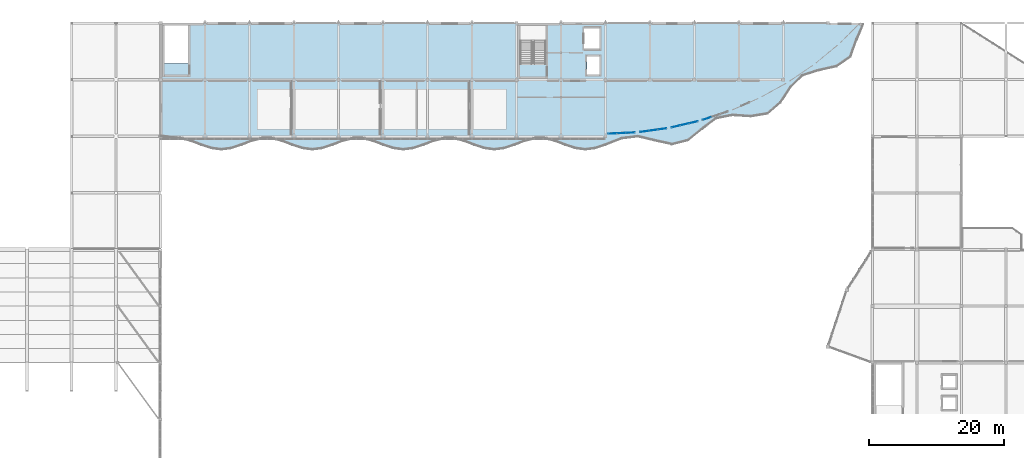
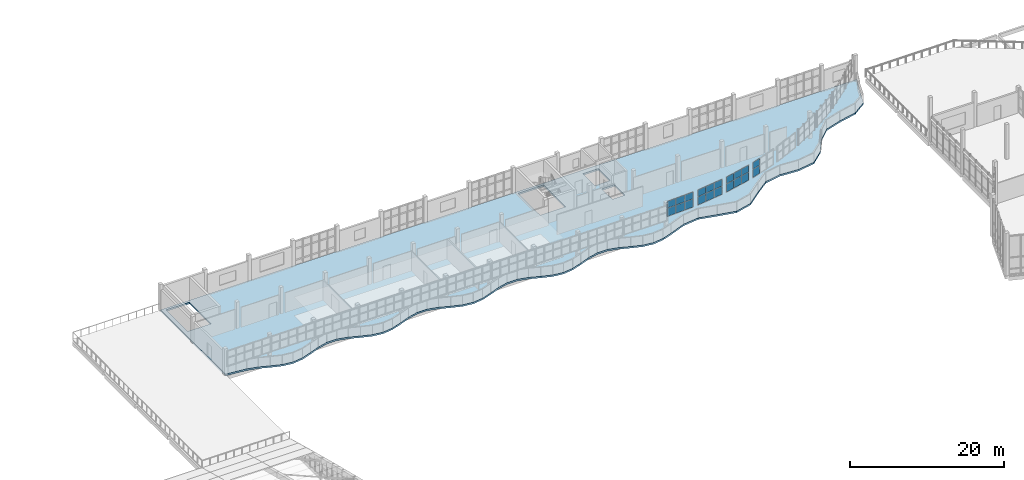
# One storey, part 48 of 78: 20 plates, 1 slab, 4 elements without a shape of their own.
"""IFC4 building model written with IfcOpenShell, lengths in metres."""

from ifc_helpers import new_model, si_unit, direction, frame, origin, origin_2d, place, context, subcontext, project, spatial, polyline, rectangle, outline, extrude, material, layer, layer_set, type_object, element, aggregate, save


model = new_model("IFC4")

# Units and contexts
model_context = context("Model", 3, precision=1e-05, world=origin(), true_north=direction((0.0, 1.0)))
body_context = subcontext(model_context, "Body", "Model", "MODEL_VIEW")
ifc_project = project(units=[si_unit("LENGTHUNIT", "METRE"), si_unit("AREAUNIT", "SQUARE_METRE"), si_unit("VOLUMEUNIT", "CUBIC_METRE"), si_unit("PLANEANGLEUNIT", "RADIAN"), si_unit("MASSUNIT", "GRAM", prefix="KILO")], contexts=[model_context])

# Site, building, storey
site_placement = place(None, origin())
site = spatial("IfcSite", under=ifc_project, at=site_placement, CompositionType="ELEMENT")
building_placement = place(site_placement, origin())
building = spatial("IfcBuilding", under=site, at=building_placement, Name="Qaldarim Faculty of Natural and Applied Sciences", CompositionType="ELEMENT")
storey_placement = place(building_placement, frame((0.0, 0.0, 18.60009765625)))
storey = spatial("IfcBuildingStorey", under=building, at=storey_placement, Name="L04", CompositionType="ELEMENT", Elevation=18.60009765625)

# Slab
ifc_material_1 = material(Name="Concrete C40/50", Category="concrete")
ifc_layer_1 = layer(ifc_material_1, 0.260009765625)
ifc_layer_set_1 = layer_set([ifc_layer_1], Name="Concrete C40/50")
slab_type = type_object("IfcSlabType", Name="LaboratoryFloorSlab-260", PredefinedType="FLOOR", material=ifc_layer_set_1)
slab_placement = place(storey_placement, frame((0.0, 0.0, -0.260009765625)))
element("IfcSlab", 1, at=slab_placement, inside=storey, type_object=slab_type, Name="Floor slab L04 V4", PredefinedType="FLOOR", context=body_context, shape_type="SweptSolid", body=[
    extrude(outline(polyline([(46.199951171875, 100.800048828125), (49.199951171875, 100.449951171875), (50.699951171875, 100.080078125), (52.199951171875, 99.5048828125), (53.699951171875, 99.0), (55.199951171875, 98.800048828125), (56.699951171875, 98.9951171875), (58.199951171875, 99.5), (59.699951171875, 100.070068359375), (61.199951171875, 100.445068359375), (62.699951171875, 100.449951171875), (64.199951171875, 100.080078125), (65.699951171875, 99.5048828125), (67.199951171875, 99.0), (68.699951171875, 98.800048828125), (70.199951171875, 98.9951171875), (71.699951171875, 99.5), (73.199951171875, 100.070068359375), (74.699951171875, 100.445068359375), (76.199951171875, 100.449951171875), (77.699951171875, 100.080078125), (79.199951171875, 99.5048828125), (80.699951171875, 99.0), (82.199951171875, 98.800048828125), (83.699951171875, 98.9951171875), (85.199951171875, 99.5), (86.699951171875, 100.070068359375), (88.199951171875, 100.445068359375), (89.699951171875, 100.449951171875), (91.199951171875, 100.080078125), (92.699951171875, 99.5048828125), (94.199951171875, 99.0), (95.699951171875, 98.800048828125), (97.199951171875, 98.9951171875), (98.699951171875, 99.5), (100.199951171875, 100.070068359375), (101.699951171875, 100.445068359375), (103.199951171875, 100.449951171875), (104.699951171875, 100.080078125), (106.199951171875, 99.5048828125), (107.699951171875, 99.0), (109.199951171875, 98.800048828125), (110.699951171875, 98.9951171875), (112.199951171875, 99.5), (114.610107421875, 100.445068359375), (117.0, 100.7451171875), (119.5048828125, 100.139892578125), (122.094970703125, 99.574951171875), (124.5048828125, 100.18505859375), (126.60498046875, 101.889892578125), (128.64990234375, 103.43505859375), (131.034912109375, 103.89990234375), (133.7451171875, 103.715087890625), (136.284912109375, 104.135009765625), (138.2099609375, 105.804931640625), (139.705078125, 108.0849609375), (141.4599609375, 109.800048828125), (143.8701171875, 110.56005859375), (146.530029296875, 111.14990234375), (148.580078125, 112.580078125), (149.4951171875, 115.195068359375), (150.47509765625, 117.60009765625), (46.199951171875, 117.60009765625), (46.199951171875, 100.800048828125)]), holes=[polyline([(103.35009765625, 111.514892578125), (103.35009765625, 117.219970703125), (99.550048828125, 117.219970703125), (99.550048828125, 111.514892578125), (103.35009765625, 111.514892578125)]), polyline([(50.300048828125, 111.614990234375), (50.300048828125, 117.219970703125), (46.800048828125, 117.219970703125), (46.800048828125, 111.614990234375), (50.300048828125, 111.614990234375)]), polyline([(109.449951171875, 109.949951171875), (111.35009765625, 109.949951171875), (111.35009765625, 112.64990234375), (109.449951171875, 112.64990234375), (109.449951171875, 109.949951171875)]), polyline([(109.050048828125, 113.75), (111.35009765625, 113.75), (111.35009765625, 116.85009765625), (109.050048828125, 116.85009765625), (109.050048828125, 113.75)])]), origin(), (0.0, 0.0, 1.0), 0.260009765625),
])

# Curtain wall, plates
ifc_material_2 = material(Name="Anodised aluminium AW-6063", Category="aluminium")
curtain_wall_type = type_object("IfcCurtainWallType", Name="CurtainWallSystem-M1400", PredefinedType="USERDEFINED", material=ifc_material_2)
curtain_wall_1_placement = place(storey_placement, origin())
curtain_wall_1 = element("IfcCurtainWall", 2, at=curtain_wall_1_placement, inside=storey, type_object=curtain_wall_type, Name="Curtain wall CW-V4ARC-L04-00", ObjectType="STICK CURTAIN WALL", PredefinedType="USERDEFINED")
ifc_material_3 = material(Name="Insulated low-e double glazing", Category="glass")
ifc_layer_2 = layer(ifc_material_3, 0.028076171875)
ifc_layer_set_2 = layer_set([ifc_layer_2], Name="Insulated low-e double glazing")
plate_type = type_object("IfcPlateType", Name="VisionGlazingPanel-28", PredefinedType="CURTAIN_PANEL", material=ifc_layer_set_2)
plate_1_placement = place(storey_placement, frame((113.23828125, 101.196533203125, 1.509765625), z_axis=(0.0, 0.0, 1.0), x_axis=(0.998953078013, 0.045746561938, 0.0)))
plate_1 = element("IfcPlate", 3, at=plate_1_placement, type_object=plate_type, Name="Glazed panel 1-1 of CW-V4ARC-L04-00", PredefinedType="CURTAIN_PANEL", context=body_context, shape_type="SweptSolid", body=[
    extrude(rectangle(XDim=1.258056640625, YDim=0.028076171875, at=origin_2d()), origin(), (0.0, 0.0, 1.0), 1.260009765625),
])
plate_2_placement = place(storey_placement, frame((113.23828125, 101.196533203125, 2.830078125), z_axis=(0.0, 0.0, 1.0), x_axis=(0.998953078013, 0.045746561938, 0.0)))
plate_2 = element("IfcPlate", 4, at=plate_2_placement, type_object=plate_type, Name="Glazed panel 1-2 of CW-V4ARC-L04-00", PredefinedType="CURTAIN_PANEL", context=body_context, shape_type="SweptSolid", body=[
    extrude(rectangle(XDim=1.258056640625, YDim=0.028076171875, at=origin_2d()), origin(), (0.0, 0.0, 1.0), 1.050048828125),
])
plate_3_placement = place(storey_placement, frame((114.570068359375, 101.257568359375, 1.509765625), z_axis=(0.0, 0.0, 1.0), x_axis=(0.998953078013, 0.045746561938, 0.0)))
plate_3 = element("IfcPlate", 5, at=plate_3_placement, type_object=plate_type, Name="Glazed panel 2-1 of CW-V4ARC-L04-00", PredefinedType="CURTAIN_PANEL", context=body_context, shape_type="SweptSolid", body=[
    extrude(rectangle(XDim=1.2880859375, YDim=0.028076171875, at=origin_2d()), origin(), (0.0, 0.0, 1.0), 1.260009765625),
])
plate_4_placement = place(storey_placement, frame((114.570068359375, 101.257568359375, 2.830078125), z_axis=(0.0, 0.0, 1.0), x_axis=(0.998953078013, 0.045746561938, 0.0)))
plate_4 = element("IfcPlate", 6, at=plate_4_placement, type_object=plate_type, Name="Glazed panel 2-2 of CW-V4ARC-L04-00", PredefinedType="CURTAIN_PANEL", context=body_context, shape_type="SweptSolid", body=[
    extrude(rectangle(XDim=1.2880859375, YDim=0.028076171875, at=origin_2d()), origin(), (0.0, 0.0, 1.0), 1.050048828125),
])
plate_5_placement = place(storey_placement, frame((115.901611328125, 101.318603515625, 1.509765625), z_axis=(0.0, 0.0, 1.0), x_axis=(0.998953078013, 0.045746561938, 0.0)))
plate_5 = element("IfcPlate", 7, at=plate_5_placement, type_object=plate_type, Name="Glazed panel 3-1 of CW-V4ARC-L04-00", PredefinedType="CURTAIN_PANEL", context=body_context, shape_type="SweptSolid", body=[
    extrude(rectangle(XDim=1.258056640625, YDim=0.028076171875, at=origin_2d()), origin(), (0.0, 0.0, 1.0), 1.260009765625),
])
plate_6_placement = place(storey_placement, frame((115.901611328125, 101.318603515625, 2.830078125), z_axis=(0.0, 0.0, 1.0), x_axis=(0.998953078013, 0.045746561938, 0.0)))
plate_6 = element("IfcPlate", 8, at=plate_6_placement, type_object=plate_type, Name="Glazed panel 3-2 of CW-V4ARC-L04-00", PredefinedType="CURTAIN_PANEL", context=body_context, shape_type="SweptSolid", body=[
    extrude(rectangle(XDim=1.258056640625, YDim=0.028076171875, at=origin_2d()), origin(), (0.0, 0.0, 1.0), 1.050048828125),
])
aggregate(curtain_wall_1, [plate_1, plate_2, plate_3, plate_4, plate_5, plate_6])

curtain_wall_2_placement = place(storey_placement, origin())
curtain_wall_2 = element("IfcCurtainWall", 9, at=curtain_wall_2_placement, inside=storey, type_object=curtain_wall_type, Name="Curtain wall CW-V4ARC-L04-02", ObjectType="STICK CURTAIN WALL", PredefinedType="USERDEFINED")
plate_7_placement = place(storey_placement, frame((117.96826171875, 101.509521484375, 1.509765625), z_axis=(0.0, 0.0, 1.0), x_axis=(0.990557380089, 0.137098784642, 0.0)))
plate_7 = element("IfcPlate", 10, at=plate_7_placement, type_object=plate_type, Name="Glazed panel 1-1 of CW-V4ARC-L04-02", PredefinedType="CURTAIN_PANEL", context=body_context, shape_type="SweptSolid", body=[
    extrude(rectangle(XDim=1.259521484375, YDim=0.028076171875, at=origin_2d()), origin(), (0.0, 0.0, 1.0), 1.260009765625),
])
plate_8_placement = place(storey_placement, frame((117.96826171875, 101.509521484375, 2.830078125), z_axis=(0.0, 0.0, 1.0), x_axis=(0.990557380089, 0.137098784642, 0.0)))
plate_8 = element("IfcPlate", 11, at=plate_8_placement, type_object=plate_type, Name="Glazed panel 1-2 of CW-V4ARC-L04-02", PredefinedType="CURTAIN_PANEL", context=body_context, shape_type="SweptSolid", body=[
    extrude(rectangle(XDim=1.259521484375, YDim=0.028076171875, at=origin_2d()), origin(), (0.0, 0.0, 1.0), 1.050048828125),
])
plate_9_placement = place(storey_placement, frame((119.2900390625, 101.6923828125, 1.509765625), z_axis=(0.0, 0.0, 1.0), x_axis=(0.990557380089, 0.137098784642, 0.0)))
plate_9 = element("IfcPlate", 12, at=plate_9_placement, type_object=plate_type, Name="Glazed panel 2-1 of CW-V4ARC-L04-02", PredefinedType="CURTAIN_PANEL", context=body_context, shape_type="SweptSolid", body=[
    extrude(rectangle(XDim=1.289306640625, YDim=0.028076171875, at=origin_2d()), origin(), (0.0, 0.0, 1.0), 1.260009765625),
])
plate_10_placement = place(storey_placement, frame((119.2900390625, 101.6923828125, 2.830078125), z_axis=(0.0, 0.0, 1.0), x_axis=(0.990557380089, 0.137098784642, 0.0)))
plate_10 = element("IfcPlate", 13, at=plate_10_placement, type_object=plate_type, Name="Glazed panel 2-2 of CW-V4ARC-L04-02", PredefinedType="CURTAIN_PANEL", context=body_context, shape_type="SweptSolid", body=[
    extrude(rectangle(XDim=1.289306640625, YDim=0.028076171875, at=origin_2d()), origin(), (0.0, 0.0, 1.0), 1.050048828125),
])
plate_11_placement = place(storey_placement, frame((120.61181640625, 101.87548828125, 1.509765625), z_axis=(0.0, 0.0, 1.0), x_axis=(0.990557380089, 0.137098784642, 0.0)))
plate_11 = element("IfcPlate", 14, at=plate_11_placement, type_object=plate_type, Name="Glazed panel 3-1 of CW-V4ARC-L04-02", PredefinedType="CURTAIN_PANEL", context=body_context, shape_type="SweptSolid", body=[
    extrude(rectangle(XDim=1.259521484375, YDim=0.028076171875, at=origin_2d()), origin(), (0.0, 0.0, 1.0), 1.260009765625),
])
plate_12_placement = place(storey_placement, frame((120.61181640625, 101.87548828125, 2.830078125), z_axis=(0.0, 0.0, 1.0), x_axis=(0.990557380089, 0.137098784642, 0.0)))
plate_12 = element("IfcPlate", 15, at=plate_12_placement, type_object=plate_type, Name="Glazed panel 3-2 of CW-V4ARC-L04-02", PredefinedType="CURTAIN_PANEL", context=body_context, shape_type="SweptSolid", body=[
    extrude(rectangle(XDim=1.259521484375, YDim=0.028076171875, at=origin_2d()), origin(), (0.0, 0.0, 1.0), 1.050048828125),
])
aggregate(curtain_wall_2, [plate_7, plate_8, plate_9, plate_10, plate_11, plate_12])

curtain_wall_3_placement = place(storey_placement, origin())
curtain_wall_3 = element("IfcCurtainWall", 16, at=curtain_wall_3_placement, inside=storey, type_object=curtain_wall_type, Name="Curtain wall CW-V4ARC-L04-04", ObjectType="STICK CURTAIN WALL", PredefinedType="USERDEFINED")
plate_13_placement = place(storey_placement, frame((122.6513671875, 102.256591796875, 1.509765625), z_axis=(0.0, 0.0, 1.0), x_axis=(0.973805593108, 0.2273822043, 0.0)))
plate_13 = element("IfcPlate", 17, at=plate_13_placement, type_object=plate_type, Name="Glazed panel 1-1 of CW-V4ARC-L04-04", PredefinedType="CURTAIN_PANEL", context=body_context, shape_type="SweptSolid", body=[
    extrude(rectangle(XDim=1.2587890625, YDim=0.028076171875, at=origin_2d()), origin(), (0.0, 0.0, 1.0), 1.260009765625),
])
plate_14_placement = place(storey_placement, frame((122.6513671875, 102.256591796875, 2.830078125), z_axis=(0.0, 0.0, 1.0), x_axis=(0.973805593108, 0.2273822043, 0.0)))
plate_14 = element("IfcPlate", 18, at=plate_14_placement, type_object=plate_type, Name="Glazed panel 1-2 of CW-V4ARC-L04-04", PredefinedType="CURTAIN_PANEL", context=body_context, shape_type="SweptSolid", body=[
    extrude(rectangle(XDim=1.2587890625, YDim=0.028076171875, at=origin_2d()), origin(), (0.0, 0.0, 1.0), 1.050048828125),
])
plate_15_placement = place(storey_placement, frame((123.949951171875, 102.56005859375, 1.509765625), z_axis=(0.0, 0.0, 1.0), x_axis=(0.973805593108, 0.2273822043, 0.0)))
plate_15 = element("IfcPlate", 19, at=plate_15_placement, type_object=plate_type, Name="Glazed panel 2-1 of CW-V4ARC-L04-04", PredefinedType="CURTAIN_PANEL", context=body_context, shape_type="SweptSolid", body=[
    extrude(rectangle(XDim=1.288818359375, YDim=0.028076171875, at=origin_2d()), origin(), (0.0, 0.0, 1.0), 1.260009765625),
])
plate_16_placement = place(storey_placement, frame((123.949951171875, 102.56005859375, 2.830078125), z_axis=(0.0, 0.0, 1.0), x_axis=(0.973805593108, 0.2273822043, 0.0)))
plate_16 = element("IfcPlate", 20, at=plate_16_placement, type_object=plate_type, Name="Glazed panel 2-2 of CW-V4ARC-L04-04", PredefinedType="CURTAIN_PANEL", context=body_context, shape_type="SweptSolid", body=[
    extrude(rectangle(XDim=1.288818359375, YDim=0.028076171875, at=origin_2d()), origin(), (0.0, 0.0, 1.0), 1.050048828125),
])
plate_17_placement = place(storey_placement, frame((125.248779296875, 102.86328125, 1.509765625), z_axis=(0.0, 0.0, 1.0), x_axis=(0.973805593108, 0.2273822043, 0.0)))
plate_17 = element("IfcPlate", 21, at=plate_17_placement, type_object=plate_type, Name="Glazed panel 3-1 of CW-V4ARC-L04-04", PredefinedType="CURTAIN_PANEL", context=body_context, shape_type="SweptSolid", body=[
    extrude(rectangle(XDim=1.2587890625, YDim=0.028076171875, at=origin_2d()), origin(), (0.0, 0.0, 1.0), 1.260009765625),
])
plate_18_placement = place(storey_placement, frame((125.248779296875, 102.86328125, 2.830078125), z_axis=(0.0, 0.0, 1.0), x_axis=(0.973805593108, 0.2273822043, 0.0)))
plate_18 = element("IfcPlate", 22, at=plate_18_placement, type_object=plate_type, Name="Glazed panel 3-2 of CW-V4ARC-L04-04", PredefinedType="CURTAIN_PANEL", context=body_context, shape_type="SweptSolid", body=[
    extrude(rectangle(XDim=1.2587890625, YDim=0.028076171875, at=origin_2d()), origin(), (0.0, 0.0, 1.0), 1.050048828125),
])
aggregate(curtain_wall_3, [plate_13, plate_14, plate_15, plate_16, plate_17, plate_18])

curtain_wall_4_placement = place(storey_placement, origin())
curtain_wall_4 = element("IfcCurtainWall", 23, at=curtain_wall_4_placement, inside=storey, type_object=curtain_wall_type, Name="Curtain wall CW-V4ARC-L04-06", ObjectType="STICK CURTAIN WALL", PredefinedType="USERDEFINED")
plate_19_placement = place(storey_placement, frame((127.248291015625, 103.427978515625, 1.509765625), z_axis=(0.0, 0.0, 1.0), x_axis=(0.94856152259, 0.316592858196, 0.0)))
plate_19 = element("IfcPlate", 24, at=plate_19_placement, type_object=plate_type, Name="Glazed panel 1-1 of CW-V4ARC-L04-06", PredefinedType="CURTAIN_PANEL", context=body_context, shape_type="SweptSolid", body=[
    extrude(rectangle(XDim=1.2578125, YDim=0.028076171875, at=origin_2d()), origin(), (0.0, 0.0, 1.0), 1.260009765625),
])
plate_20_placement = place(storey_placement, frame((127.248291015625, 103.427978515625, 2.830078125), z_axis=(0.0, 0.0, 1.0), x_axis=(0.94856152259, 0.316592858196, 0.0)))
plate_20 = element("IfcPlate", 25, at=plate_20_placement, type_object=plate_type, Name="Glazed panel 1-2 of CW-V4ARC-L04-06", PredefinedType="CURTAIN_PANEL", context=body_context, shape_type="SweptSolid", body=[
    extrude(rectangle(XDim=1.2578125, YDim=0.028076171875, at=origin_2d()), origin(), (0.0, 0.0, 1.0), 1.050048828125),
])
aggregate(curtain_wall_4, [plate_19, plate_20])

save(model, "model.ifc")
